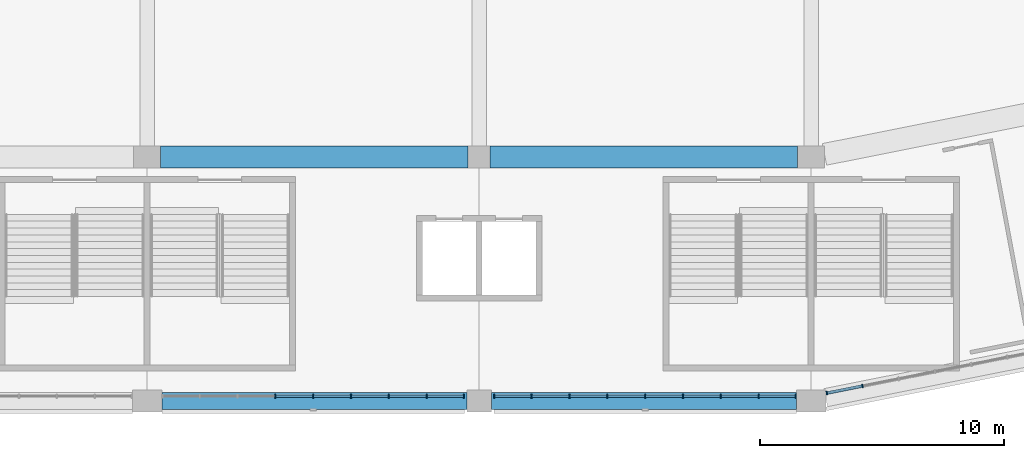
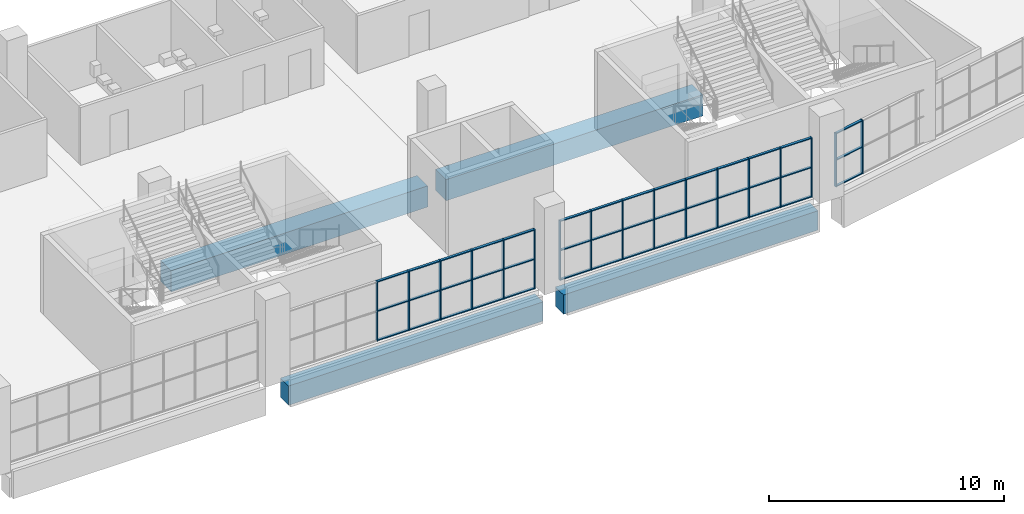
# One storey, part 14 of 199: 59 members, 4 beams, 3 elements without a shape of their own.
"""IFC4 building model written with IfcOpenShell, lengths in metres."""

from ifc_helpers import new_model, si_unit, direction, frame, origin, origin_2d, place, context, subcontext, project, spatial, rectangle, extrude, material, material_profile, profile_set, type_object, element, aggregate, save


model = new_model("IFC4")

# Units and contexts
model_context = context("Model", 3, precision=1e-05, world=origin(), true_north=direction((0.0, 1.0)))
body_context = subcontext(model_context, "Body", "Model", "MODEL_VIEW")
ifc_project = project(units=[si_unit("LENGTHUNIT", "METRE"), si_unit("AREAUNIT", "SQUARE_METRE"), si_unit("VOLUMEUNIT", "CUBIC_METRE"), si_unit("PLANEANGLEUNIT", "RADIAN"), si_unit("MASSUNIT", "GRAM", prefix="KILO")], contexts=[model_context])

# Site, building, storey
site_placement = place(None, origin())
site = spatial("IfcSite", under=ifc_project, at=site_placement, CompositionType="ELEMENT")
building_placement = place(site_placement, origin())
building = spatial("IfcBuilding", under=site, at=building_placement, Name="Ogive Plaza Stadium", CompositionType="ELEMENT")
storey_placement = place(building_placement, frame((0.0, 0.0, 4.5)))
storey = spatial("IfcBuildingStorey", under=building, at=storey_placement, Name="L01", CompositionType="ELEMENT", Elevation=4.5)

# Curtain wall, members
ifc_material_1 = material(Name="Bronze-anodised aluminium with laminated glass", Category="aluminium")
curtain_wall_type = type_object("IfcCurtainWallType", Name="Lancet curtain wall", PredefinedType="NOTDEFINED", material=ifc_material_1)
curtain_wall_1_placement = place(storey_placement, origin())
curtain_wall_1 = element("IfcCurtainWall", 1, at=curtain_wall_1_placement, inside=storey, type_object=curtain_wall_type, Name="CURTAIN WALL B11 L01", PredefinedType="NOTDEFINED")
ifc_material_2 = material(Name="Bronze-anodised aluminium", Category="aluminium")
ifc_material_profile_1 = material_profile(ifc_material_2, rectangle(XDim=0.14990234375, YDim=0.050048828125, at=origin_2d()), Name="AL 150x50")
ifc_profile_set_1 = profile_set([ifc_material_profile_1], Name="Bronze-anodised aluminium")
member_type_1 = type_object("IfcMemberType", Name="Curtain wall mullion 50x150", PredefinedType="MULLION", material=ifc_profile_set_1)
member_1_placement = place(storey_placement, frame((36.104248046875, -101.87744140625, 0.0), z_axis=(0.0, 0.0, 1.0), x_axis=(0.195090322016, -0.980785280403, 0.0)))
member_1 = element("IfcMember", 2, at=member_1_placement, type_object=member_type_1, Name="CW-B11-L01 mullion 12", PredefinedType="MULLION", context=body_context, shape_type="SweptSolid", body=[
    extrude(rectangle(XDim=0.14990234375, YDim=0.050048828125, at=origin_2d()), origin(), (0.0, 0.0, 1.0), 2.7900390625),
])
member_2_placement = place(storey_placement, frame((34.64404296875, -102.16796875, 0.0), z_axis=(0.0, 0.0, 1.0), x_axis=(0.195090322016, -0.980785280403, 0.0)))
member_2 = element("IfcMember", 3, at=member_2_placement, type_object=member_type_1, Name="CW-B11-L01 mullion 13", PredefinedType="MULLION", context=body_context, shape_type="SweptSolid", body=[
    extrude(rectangle(XDim=0.14990234375, YDim=0.050048828125, at=origin_2d()), origin(), (0.0, 0.0, 1.0), 2.7900390625),
])

curtain_wall_2_placement = place(storey_placement, origin())
curtain_wall_2 = element("IfcCurtainWall", 4, at=curtain_wall_2_placement, inside=storey, type_object=curtain_wall_type, Name="CURTAIN WALL B12 L01", PredefinedType="NOTDEFINED")
member_3_placement = place(storey_placement, frame((33.375, -102.300048828125, 0.0), z_axis=(0.0, 0.0, 1.0), x_axis=(0.0, -1.0, 0.0)))
member_3 = element("IfcMember", 5, at=member_3_placement, type_object=member_type_1, Name="CW-B12-L01 mullion 1", PredefinedType="MULLION", context=body_context, shape_type="SweptSolid", body=[
    extrude(rectangle(XDim=0.14990234375, YDim=0.050048828125, at=origin_2d()), origin(), (0.0, 0.0, 1.0), 3.090087890625),
])
member_4_placement = place(storey_placement, frame((31.85009765625, -102.300048828125, 0.0), z_axis=(0.0, 0.0, 1.0), x_axis=(0.0, -1.0, 0.0)))
member_4 = element("IfcMember", 6, at=member_4_placement, type_object=member_type_1, Name="CW-B12-L01 mullion 2", PredefinedType="MULLION", context=body_context, shape_type="SweptSolid", body=[
    extrude(rectangle(XDim=0.14990234375, YDim=0.050048828125, at=origin_2d()), origin(), (0.0, 0.0, 1.0), 3.090087890625),
])
member_5_placement = place(storey_placement, frame((30.300048828125, -102.300048828125, 0.0), z_axis=(0.0, 0.0, 1.0), x_axis=(0.0, -1.0, 0.0)))
member_5 = element("IfcMember", 7, at=member_5_placement, type_object=member_type_1, Name="CW-B12-L01 mullion 3", PredefinedType="MULLION", context=body_context, shape_type="SweptSolid", body=[
    extrude(rectangle(XDim=0.14990234375, YDim=0.050048828125, at=origin_2d()), origin(), (0.0, 0.0, 1.0), 3.090087890625),
])
member_6_placement = place(storey_placement, frame((28.75, -102.300048828125, 0.0), z_axis=(0.0, 0.0, 1.0), x_axis=(0.0, -1.0, 0.0)))
member_6 = element("IfcMember", 8, at=member_6_placement, type_object=member_type_1, Name="CW-B12-L01 mullion 4", PredefinedType="MULLION", context=body_context, shape_type="SweptSolid", body=[
    extrude(rectangle(XDim=0.14990234375, YDim=0.050048828125, at=origin_2d()), origin(), (0.0, 0.0, 1.0), 3.090087890625),
])
member_7_placement = place(storey_placement, frame((27.199951171875, -102.300048828125, 0.0), z_axis=(0.0, 0.0, 1.0), x_axis=(0.0, -1.0, 0.0)))
member_7 = element("IfcMember", 9, at=member_7_placement, type_object=member_type_1, Name="CW-B12-L01 mullion 5", PredefinedType="MULLION", context=body_context, shape_type="SweptSolid", body=[
    extrude(rectangle(XDim=0.14990234375, YDim=0.050048828125, at=origin_2d()), origin(), (0.0, 0.0, 1.0), 3.090087890625),
])
member_8_placement = place(storey_placement, frame((25.64990234375, -102.300048828125, 0.0), z_axis=(0.0, 0.0, 1.0), x_axis=(0.0, -1.0, 0.0)))
member_8 = element("IfcMember", 10, at=member_8_placement, type_object=member_type_1, Name="CW-B12-L01 mullion 6", PredefinedType="MULLION", context=body_context, shape_type="SweptSolid", body=[
    extrude(rectangle(XDim=0.14990234375, YDim=0.050048828125, at=origin_2d()), origin(), (0.0, 0.0, 1.0), 3.090087890625),
])
member_9_placement = place(storey_placement, frame((24.10009765625, -102.300048828125, 0.0), z_axis=(0.0, 0.0, 1.0), x_axis=(0.0, -1.0, 0.0)))
member_9 = element("IfcMember", 11, at=member_9_placement, type_object=member_type_1, Name="CW-B12-L01 mullion 7", PredefinedType="MULLION", context=body_context, shape_type="SweptSolid", body=[
    extrude(rectangle(XDim=0.14990234375, YDim=0.050048828125, at=origin_2d()), origin(), (0.0, 0.0, 1.0), 3.090087890625),
])
member_10_placement = place(storey_placement, frame((22.550048828125, -102.300048828125, 0.0), z_axis=(0.0, 0.0, 1.0), x_axis=(0.0, -1.0, 0.0)))
member_10 = element("IfcMember", 12, at=member_10_placement, type_object=member_type_1, Name="CW-B12-L01 mullion 8", PredefinedType="MULLION", context=body_context, shape_type="SweptSolid", body=[
    extrude(rectangle(XDim=0.14990234375, YDim=0.050048828125, at=origin_2d()), origin(), (0.0, 0.0, 1.0), 3.090087890625),
])
member_11_placement = place(storey_placement, frame((21.02490234375, -102.300048828125, 0.0), z_axis=(0.0, 0.0, 1.0), x_axis=(0.0, -1.0, 0.0)))
member_11 = element("IfcMember", 13, at=member_11_placement, type_object=member_type_1, Name="CW-B12-L01 mullion 9", PredefinedType="MULLION", context=body_context, shape_type="SweptSolid", body=[
    extrude(rectangle(XDim=0.14990234375, YDim=0.050048828125, at=origin_2d()), origin(), (0.0, 0.0, 1.0), 3.090087890625),
])

curtain_wall_3_placement = place(storey_placement, origin())
curtain_wall_3 = element("IfcCurtainWall", 14, at=curtain_wall_3_placement, inside=storey, type_object=curtain_wall_type, Name="CURTAIN WALL B13 L01", PredefinedType="NOTDEFINED")
member_12_placement = place(storey_placement, frame((19.77490234375, -102.300048828125, 0.0), z_axis=(0.0, 0.0, 1.0), x_axis=(0.0, -1.0, 0.0)))
member_12 = element("IfcMember", 15, at=member_12_placement, type_object=member_type_1, Name="CW-B13-L01 mullion 1", PredefinedType="MULLION", context=body_context, shape_type="SweptSolid", body=[
    extrude(rectangle(XDim=0.14990234375, YDim=0.050048828125, at=origin_2d()), origin(), (0.0, 0.0, 1.0), 3.090087890625),
])
member_13_placement = place(storey_placement, frame((18.25, -102.300048828125, 0.0), z_axis=(0.0, 0.0, 1.0), x_axis=(0.0, -1.0, 0.0)))
member_13 = element("IfcMember", 16, at=member_13_placement, type_object=member_type_1, Name="CW-B13-L01 mullion 2", PredefinedType="MULLION", context=body_context, shape_type="SweptSolid", body=[
    extrude(rectangle(XDim=0.14990234375, YDim=0.050048828125, at=origin_2d()), origin(), (0.0, 0.0, 1.0), 3.090087890625),
])
member_14_placement = place(storey_placement, frame((16.699951171875, -102.300048828125, 0.0), z_axis=(0.0, 0.0, 1.0), x_axis=(0.0, -1.0, 0.0)))
member_14 = element("IfcMember", 17, at=member_14_placement, type_object=member_type_1, Name="CW-B13-L01 mullion 3", PredefinedType="MULLION", context=body_context, shape_type="SweptSolid", body=[
    extrude(rectangle(XDim=0.14990234375, YDim=0.050048828125, at=origin_2d()), origin(), (0.0, 0.0, 1.0), 3.090087890625),
])
member_15_placement = place(storey_placement, frame((15.14990234375, -102.300048828125, 0.0), z_axis=(0.0, 0.0, 1.0), x_axis=(0.0, -1.0, 0.0)))
member_15 = element("IfcMember", 18, at=member_15_placement, type_object=member_type_1, Name="CW-B13-L01 mullion 4", PredefinedType="MULLION", context=body_context, shape_type="SweptSolid", body=[
    extrude(rectangle(XDim=0.14990234375, YDim=0.050048828125, at=origin_2d()), origin(), (0.0, 0.0, 1.0), 3.090087890625),
])
member_16_placement = place(storey_placement, frame((13.60009765625, -102.300048828125, 0.0), z_axis=(0.0, 0.0, 1.0), x_axis=(0.0, -1.0, 0.0)))
member_16 = element("IfcMember", 19, at=member_16_placement, type_object=member_type_1, Name="CW-B13-L01 mullion 5", PredefinedType="MULLION", context=body_context, shape_type="SweptSolid", body=[
    extrude(rectangle(XDim=0.14990234375, YDim=0.050048828125, at=origin_2d()), origin(), (0.0, 0.0, 1.0), 3.090087890625),
])
member_17_placement = place(storey_placement, frame((12.050048828125, -102.300048828125, 0.0), z_axis=(0.0, 0.0, 1.0), x_axis=(0.0, -1.0, 0.0)))
member_17 = element("IfcMember", 20, at=member_17_placement, type_object=member_type_1, Name="CW-B13-L01 mullion 6", PredefinedType="MULLION", context=body_context, shape_type="SweptSolid", body=[
    extrude(rectangle(XDim=0.14990234375, YDim=0.050048828125, at=origin_2d()), origin(), (0.0, 0.0, 1.0), 3.090087890625),
])

# Member
ifc_material_3 = material(Name="Bronze-anodised aluminium", Category="aluminium")
ifc_material_profile_2 = material_profile(ifc_material_3, rectangle(XDim=0.1201171875, YDim=0.050048828125, at=origin_2d()), Name="AL 120x50")
ifc_profile_set_2 = profile_set([ifc_material_profile_2], Name="Bronze-anodised aluminium")
member_type_2 = type_object("IfcMemberType", Name="Curtain wall transom 50x120", PredefinedType="USERDEFINED", material=ifc_profile_set_2)
member_18_placement = place(storey_placement, frame((36.079833984375, -101.88232421875, 0.02490234375), z_axis=(-0.980782436465, -0.195104618913, 0.0), x_axis=(0.195104618913, -0.980782436465, 0.0)))
member_18 = element("IfcMember", 21, at=member_18_placement, type_object=member_type_2, Name="CW-B11-L01 transom 12.1", ObjectType="TRANSOM", PredefinedType="USERDEFINED", context=body_context, shape_type="SweptSolid", body=[
    extrude(rectangle(XDim=0.1201171875, YDim=0.050048828125, at=origin_2d()), origin(), (0.0, 0.0, 1.0), 1.43896484375),
])

member_19_placement = place(storey_placement, frame((36.079833984375, -101.88232421875, 1.39501953125), z_axis=(-0.980782436465, -0.195104618913, 0.0), x_axis=(0.195104618913, -0.980782436465, 0.0)))
member_19 = element("IfcMember", 22, at=member_19_placement, type_object=member_type_2, Name="CW-B11-L01 transom 12.2", ObjectType="TRANSOM", PredefinedType="USERDEFINED", context=body_context, shape_type="SweptSolid", body=[
    extrude(rectangle(XDim=0.1201171875, YDim=0.050048828125, at=origin_2d()), origin(), (0.0, 0.0, 1.0), 1.43896484375),
])

member_20_placement = place(storey_placement, frame((36.079833984375, -101.88232421875, 2.764892578125), z_axis=(-0.980782436465, -0.195104618913, 0.0), x_axis=(0.195104618913, -0.980782436465, 0.0)))
member_20 = element("IfcMember", 23, at=member_20_placement, type_object=member_type_2, Name="CW-B11-L01 transom 12.3", ObjectType="TRANSOM", PredefinedType="USERDEFINED", context=body_context, shape_type="SweptSolid", body=[
    extrude(rectangle(XDim=0.1201171875, YDim=0.050048828125, at=origin_2d()), origin(), (0.0, 0.0, 1.0), 1.43896484375),
])

aggregate(curtain_wall_1, [member_1, member_2, member_18, member_19, member_20])

member_21_placement = place(storey_placement, frame((33.35009765625, -102.300048828125, 0.02490234375), z_axis=(-1.0, 0.0, 0.0), x_axis=(0.0, -1.0, 0.0)))
member_21 = element("IfcMember", 24, at=member_21_placement, type_object=member_type_2, Name="CW-B12-L01 transom 1.1", ObjectType="TRANSOM", PredefinedType="USERDEFINED", context=body_context, shape_type="SweptSolid", body=[
    extrude(rectangle(XDim=0.1201171875, YDim=0.050048828125, at=origin_2d()), origin(), (0.0, 0.0, 1.0), 1.47509765625),
])

member_22_placement = place(storey_placement, frame((33.35009765625, -102.300048828125, 1.544921875), z_axis=(-1.0, 0.0, 0.0), x_axis=(0.0, -1.0, 0.0)))
member_22 = element("IfcMember", 25, at=member_22_placement, type_object=member_type_2, Name="CW-B12-L01 transom 1.2", ObjectType="TRANSOM", PredefinedType="USERDEFINED", context=body_context, shape_type="SweptSolid", body=[
    extrude(rectangle(XDim=0.1201171875, YDim=0.050048828125, at=origin_2d()), origin(), (0.0, 0.0, 1.0), 1.47509765625),
])

member_23_placement = place(storey_placement, frame((33.35009765625, -102.300048828125, 3.06494140625), z_axis=(-1.0, 0.0, 0.0), x_axis=(0.0, -1.0, 0.0)))
member_23 = element("IfcMember", 26, at=member_23_placement, type_object=member_type_2, Name="CW-B12-L01 transom 1.3", ObjectType="TRANSOM", PredefinedType="USERDEFINED", context=body_context, shape_type="SweptSolid", body=[
    extrude(rectangle(XDim=0.1201171875, YDim=0.050048828125, at=origin_2d()), origin(), (0.0, 0.0, 1.0), 1.47509765625),
])

member_24_placement = place(storey_placement, frame((31.824951171875, -102.300048828125, 0.02490234375), z_axis=(-1.0, 0.0, 0.0), x_axis=(0.0, -1.0, 0.0)))
member_24 = element("IfcMember", 27, at=member_24_placement, type_object=member_type_2, Name="CW-B12-L01 transom 2.1", ObjectType="TRANSOM", PredefinedType="USERDEFINED", context=body_context, shape_type="SweptSolid", body=[
    extrude(rectangle(XDim=0.1201171875, YDim=0.050048828125, at=origin_2d()), origin(), (0.0, 0.0, 1.0), 1.5),
])

member_25_placement = place(storey_placement, frame((31.824951171875, -102.300048828125, 1.544921875), z_axis=(-1.0, 0.0, 0.0), x_axis=(0.0, -1.0, 0.0)))
member_25 = element("IfcMember", 28, at=member_25_placement, type_object=member_type_2, Name="CW-B12-L01 transom 2.2", ObjectType="TRANSOM", PredefinedType="USERDEFINED", context=body_context, shape_type="SweptSolid", body=[
    extrude(rectangle(XDim=0.1201171875, YDim=0.050048828125, at=origin_2d()), origin(), (0.0, 0.0, 1.0), 1.5),
])

member_26_placement = place(storey_placement, frame((31.824951171875, -102.300048828125, 3.06494140625), z_axis=(-1.0, 0.0, 0.0), x_axis=(0.0, -1.0, 0.0)))
member_26 = element("IfcMember", 29, at=member_26_placement, type_object=member_type_2, Name="CW-B12-L01 transom 2.3", ObjectType="TRANSOM", PredefinedType="USERDEFINED", context=body_context, shape_type="SweptSolid", body=[
    extrude(rectangle(XDim=0.1201171875, YDim=0.050048828125, at=origin_2d()), origin(), (0.0, 0.0, 1.0), 1.5),
])

member_27_placement = place(storey_placement, frame((30.27490234375, -102.300048828125, 0.02490234375), z_axis=(-1.0, 0.0, 0.0), x_axis=(0.0, -1.0, 0.0)))
member_27 = element("IfcMember", 30, at=member_27_placement, type_object=member_type_2, Name="CW-B12-L01 transom 3.1", ObjectType="TRANSOM", PredefinedType="USERDEFINED", context=body_context, shape_type="SweptSolid", body=[
    extrude(rectangle(XDim=0.1201171875, YDim=0.050048828125, at=origin_2d()), origin(), (0.0, 0.0, 1.0), 1.5),
])

member_28_placement = place(storey_placement, frame((30.27490234375, -102.300048828125, 1.544921875), z_axis=(-1.0, 0.0, 0.0), x_axis=(0.0, -1.0, 0.0)))
member_28 = element("IfcMember", 31, at=member_28_placement, type_object=member_type_2, Name="CW-B12-L01 transom 3.2", ObjectType="TRANSOM", PredefinedType="USERDEFINED", context=body_context, shape_type="SweptSolid", body=[
    extrude(rectangle(XDim=0.1201171875, YDim=0.050048828125, at=origin_2d()), origin(), (0.0, 0.0, 1.0), 1.5),
])

member_29_placement = place(storey_placement, frame((30.27490234375, -102.300048828125, 3.06494140625), z_axis=(-1.0, 0.0, 0.0), x_axis=(0.0, -1.0, 0.0)))
member_29 = element("IfcMember", 32, at=member_29_placement, type_object=member_type_2, Name="CW-B12-L01 transom 3.3", ObjectType="TRANSOM", PredefinedType="USERDEFINED", context=body_context, shape_type="SweptSolid", body=[
    extrude(rectangle(XDim=0.1201171875, YDim=0.050048828125, at=origin_2d()), origin(), (0.0, 0.0, 1.0), 1.5),
])

member_30_placement = place(storey_placement, frame((28.72509765625, -102.300048828125, 0.02490234375), z_axis=(-1.0, 0.0, 0.0), x_axis=(0.0, -1.0, 0.0)))
member_30 = element("IfcMember", 33, at=member_30_placement, type_object=member_type_2, Name="CW-B12-L01 transom 4.1", ObjectType="TRANSOM", PredefinedType="USERDEFINED", context=body_context, shape_type="SweptSolid", body=[
    extrude(rectangle(XDim=0.1201171875, YDim=0.050048828125, at=origin_2d()), origin(), (0.0, 0.0, 1.0), 1.5),
])

member_31_placement = place(storey_placement, frame((28.72509765625, -102.300048828125, 1.544921875), z_axis=(-1.0, 0.0, 0.0), x_axis=(0.0, -1.0, 0.0)))
member_31 = element("IfcMember", 34, at=member_31_placement, type_object=member_type_2, Name="CW-B12-L01 transom 4.2", ObjectType="TRANSOM", PredefinedType="USERDEFINED", context=body_context, shape_type="SweptSolid", body=[
    extrude(rectangle(XDim=0.1201171875, YDim=0.050048828125, at=origin_2d()), origin(), (0.0, 0.0, 1.0), 1.5),
])

member_32_placement = place(storey_placement, frame((28.72509765625, -102.300048828125, 3.06494140625), z_axis=(-1.0, 0.0, 0.0), x_axis=(0.0, -1.0, 0.0)))
member_32 = element("IfcMember", 35, at=member_32_placement, type_object=member_type_2, Name="CW-B12-L01 transom 4.3", ObjectType="TRANSOM", PredefinedType="USERDEFINED", context=body_context, shape_type="SweptSolid", body=[
    extrude(rectangle(XDim=0.1201171875, YDim=0.050048828125, at=origin_2d()), origin(), (0.0, 0.0, 1.0), 1.5),
])

member_33_placement = place(storey_placement, frame((27.175048828125, -102.300048828125, 0.02490234375), z_axis=(-1.0, 0.0, 0.0), x_axis=(0.0, -1.0, 0.0)))
member_33 = element("IfcMember", 36, at=member_33_placement, type_object=member_type_2, Name="CW-B12-L01 transom 5.1", ObjectType="TRANSOM", PredefinedType="USERDEFINED", context=body_context, shape_type="SweptSolid", body=[
    extrude(rectangle(XDim=0.1201171875, YDim=0.050048828125, at=origin_2d()), origin(), (0.0, 0.0, 1.0), 1.5),
])

member_34_placement = place(storey_placement, frame((27.175048828125, -102.300048828125, 1.544921875), z_axis=(-1.0, 0.0, 0.0), x_axis=(0.0, -1.0, 0.0)))
member_34 = element("IfcMember", 37, at=member_34_placement, type_object=member_type_2, Name="CW-B12-L01 transom 5.2", ObjectType="TRANSOM", PredefinedType="USERDEFINED", context=body_context, shape_type="SweptSolid", body=[
    extrude(rectangle(XDim=0.1201171875, YDim=0.050048828125, at=origin_2d()), origin(), (0.0, 0.0, 1.0), 1.5),
])

member_35_placement = place(storey_placement, frame((27.175048828125, -102.300048828125, 3.06494140625), z_axis=(-1.0, 0.0, 0.0), x_axis=(0.0, -1.0, 0.0)))
member_35 = element("IfcMember", 38, at=member_35_placement, type_object=member_type_2, Name="CW-B12-L01 transom 5.3", ObjectType="TRANSOM", PredefinedType="USERDEFINED", context=body_context, shape_type="SweptSolid", body=[
    extrude(rectangle(XDim=0.1201171875, YDim=0.050048828125, at=origin_2d()), origin(), (0.0, 0.0, 1.0), 1.5),
])

member_36_placement = place(storey_placement, frame((25.625, -102.300048828125, 0.02490234375), z_axis=(-1.0, 0.0, 0.0), x_axis=(0.0, -1.0, 0.0)))
member_36 = element("IfcMember", 39, at=member_36_placement, type_object=member_type_2, Name="CW-B12-L01 transom 6.1", ObjectType="TRANSOM", PredefinedType="USERDEFINED", context=body_context, shape_type="SweptSolid", body=[
    extrude(rectangle(XDim=0.1201171875, YDim=0.050048828125, at=origin_2d()), origin(), (0.0, 0.0, 1.0), 1.5),
])

member_37_placement = place(storey_placement, frame((25.625, -102.300048828125, 1.544921875), z_axis=(-1.0, 0.0, 0.0), x_axis=(0.0, -1.0, 0.0)))
member_37 = element("IfcMember", 40, at=member_37_placement, type_object=member_type_2, Name="CW-B12-L01 transom 6.2", ObjectType="TRANSOM", PredefinedType="USERDEFINED", context=body_context, shape_type="SweptSolid", body=[
    extrude(rectangle(XDim=0.1201171875, YDim=0.050048828125, at=origin_2d()), origin(), (0.0, 0.0, 1.0), 1.5),
])

member_38_placement = place(storey_placement, frame((25.625, -102.300048828125, 3.06494140625), z_axis=(-1.0, 0.0, 0.0), x_axis=(0.0, -1.0, 0.0)))
member_38 = element("IfcMember", 41, at=member_38_placement, type_object=member_type_2, Name="CW-B12-L01 transom 6.3", ObjectType="TRANSOM", PredefinedType="USERDEFINED", context=body_context, shape_type="SweptSolid", body=[
    extrude(rectangle(XDim=0.1201171875, YDim=0.050048828125, at=origin_2d()), origin(), (0.0, 0.0, 1.0), 1.5),
])

member_39_placement = place(storey_placement, frame((24.074951171875, -102.300048828125, 0.02490234375), z_axis=(-1.0, 0.0, 0.0), x_axis=(0.0, -1.0, 0.0)))
member_39 = element("IfcMember", 42, at=member_39_placement, type_object=member_type_2, Name="CW-B12-L01 transom 7.1", ObjectType="TRANSOM", PredefinedType="USERDEFINED", context=body_context, shape_type="SweptSolid", body=[
    extrude(rectangle(XDim=0.1201171875, YDim=0.050048828125, at=origin_2d()), origin(), (0.0, 0.0, 1.0), 1.5),
])

member_40_placement = place(storey_placement, frame((24.074951171875, -102.300048828125, 1.544921875), z_axis=(-1.0, 0.0, 0.0), x_axis=(0.0, -1.0, 0.0)))
member_40 = element("IfcMember", 43, at=member_40_placement, type_object=member_type_2, Name="CW-B12-L01 transom 7.2", ObjectType="TRANSOM", PredefinedType="USERDEFINED", context=body_context, shape_type="SweptSolid", body=[
    extrude(rectangle(XDim=0.1201171875, YDim=0.050048828125, at=origin_2d()), origin(), (0.0, 0.0, 1.0), 1.5),
])

member_41_placement = place(storey_placement, frame((24.074951171875, -102.300048828125, 3.06494140625), z_axis=(-1.0, 0.0, 0.0), x_axis=(0.0, -1.0, 0.0)))
member_41 = element("IfcMember", 44, at=member_41_placement, type_object=member_type_2, Name="CW-B12-L01 transom 7.3", ObjectType="TRANSOM", PredefinedType="USERDEFINED", context=body_context, shape_type="SweptSolid", body=[
    extrude(rectangle(XDim=0.1201171875, YDim=0.050048828125, at=origin_2d()), origin(), (0.0, 0.0, 1.0), 1.5),
])

member_42_placement = place(storey_placement, frame((22.52490234375, -102.300048828125, 0.02490234375), z_axis=(-1.0, 0.0, 0.0), x_axis=(0.0, -1.0, 0.0)))
member_42 = element("IfcMember", 45, at=member_42_placement, type_object=member_type_2, Name="CW-B12-L01 transom 8.1", ObjectType="TRANSOM", PredefinedType="USERDEFINED", context=body_context, shape_type="SweptSolid", body=[
    extrude(rectangle(XDim=0.1201171875, YDim=0.050048828125, at=origin_2d()), origin(), (0.0, 0.0, 1.0), 1.474853515625),
])

member_43_placement = place(storey_placement, frame((22.52490234375, -102.300048828125, 1.544921875), z_axis=(-1.0, 0.0, 0.0), x_axis=(0.0, -1.0, 0.0)))
member_43 = element("IfcMember", 46, at=member_43_placement, type_object=member_type_2, Name="CW-B12-L01 transom 8.2", ObjectType="TRANSOM", PredefinedType="USERDEFINED", context=body_context, shape_type="SweptSolid", body=[
    extrude(rectangle(XDim=0.1201171875, YDim=0.050048828125, at=origin_2d()), origin(), (0.0, 0.0, 1.0), 1.474853515625),
])

member_44_placement = place(storey_placement, frame((22.52490234375, -102.300048828125, 3.06494140625), z_axis=(-1.0, 0.0, 0.0), x_axis=(0.0, -1.0, 0.0)))
member_44 = element("IfcMember", 47, at=member_44_placement, type_object=member_type_2, Name="CW-B12-L01 transom 8.3", ObjectType="TRANSOM", PredefinedType="USERDEFINED", context=body_context, shape_type="SweptSolid", body=[
    extrude(rectangle(XDim=0.1201171875, YDim=0.050048828125, at=origin_2d()), origin(), (0.0, 0.0, 1.0), 1.474853515625),
])

aggregate(curtain_wall_2, [member_3, member_4, member_5, member_6, member_7, member_8, member_9, member_10, member_11, member_21, member_22, member_23, member_24, member_25, member_26, member_27, member_28, member_29, member_30, member_31, member_32, member_33, member_34, member_35, member_36, member_37, member_38, member_39, member_40, member_41, member_42, member_43, member_44])

member_45_placement = place(storey_placement, frame((19.75, -102.300048828125, 0.02490234375), z_axis=(-1.0, 0.0, 0.0), x_axis=(0.0, -1.0, 0.0)))
member_45 = element("IfcMember", 48, at=member_45_placement, type_object=member_type_2, Name="CW-B13-L01 transom 1.1", ObjectType="TRANSOM", PredefinedType="USERDEFINED", context=body_context, shape_type="SweptSolid", body=[
    extrude(rectangle(XDim=0.1201171875, YDim=0.050048828125, at=origin_2d()), origin(), (0.0, 0.0, 1.0), 1.47509765625),
])

member_46_placement = place(storey_placement, frame((19.75, -102.300048828125, 1.544921875), z_axis=(-1.0, 0.0, 0.0), x_axis=(0.0, -1.0, 0.0)))
member_46 = element("IfcMember", 49, at=member_46_placement, type_object=member_type_2, Name="CW-B13-L01 transom 1.2", ObjectType="TRANSOM", PredefinedType="USERDEFINED", context=body_context, shape_type="SweptSolid", body=[
    extrude(rectangle(XDim=0.1201171875, YDim=0.050048828125, at=origin_2d()), origin(), (0.0, 0.0, 1.0), 1.47509765625),
])

member_47_placement = place(storey_placement, frame((19.75, -102.300048828125, 3.06494140625), z_axis=(-1.0, 0.0, 0.0), x_axis=(0.0, -1.0, 0.0)))
member_47 = element("IfcMember", 50, at=member_47_placement, type_object=member_type_2, Name="CW-B13-L01 transom 1.3", ObjectType="TRANSOM", PredefinedType="USERDEFINED", context=body_context, shape_type="SweptSolid", body=[
    extrude(rectangle(XDim=0.1201171875, YDim=0.050048828125, at=origin_2d()), origin(), (0.0, 0.0, 1.0), 1.47509765625),
])

member_48_placement = place(storey_placement, frame((18.22509765625, -102.300048828125, 0.02490234375), z_axis=(-1.0, 0.0, 0.0), x_axis=(0.0, -1.0, 0.0)))
member_48 = element("IfcMember", 51, at=member_48_placement, type_object=member_type_2, Name="CW-B13-L01 transom 2.1", ObjectType="TRANSOM", PredefinedType="USERDEFINED", context=body_context, shape_type="SweptSolid", body=[
    extrude(rectangle(XDim=0.1201171875, YDim=0.050048828125, at=origin_2d()), origin(), (0.0, 0.0, 1.0), 1.5),
])

member_49_placement = place(storey_placement, frame((18.22509765625, -102.300048828125, 1.544921875), z_axis=(-1.0, 0.0, 0.0), x_axis=(0.0, -1.0, 0.0)))
member_49 = element("IfcMember", 52, at=member_49_placement, type_object=member_type_2, Name="CW-B13-L01 transom 2.2", ObjectType="TRANSOM", PredefinedType="USERDEFINED", context=body_context, shape_type="SweptSolid", body=[
    extrude(rectangle(XDim=0.1201171875, YDim=0.050048828125, at=origin_2d()), origin(), (0.0, 0.0, 1.0), 1.5),
])

member_50_placement = place(storey_placement, frame((18.22509765625, -102.300048828125, 3.06494140625), z_axis=(-1.0, 0.0, 0.0), x_axis=(0.0, -1.0, 0.0)))
member_50 = element("IfcMember", 53, at=member_50_placement, type_object=member_type_2, Name="CW-B13-L01 transom 2.3", ObjectType="TRANSOM", PredefinedType="USERDEFINED", context=body_context, shape_type="SweptSolid", body=[
    extrude(rectangle(XDim=0.1201171875, YDim=0.050048828125, at=origin_2d()), origin(), (0.0, 0.0, 1.0), 1.5),
])

member_51_placement = place(storey_placement, frame((16.675048828125, -102.300048828125, 0.02490234375), z_axis=(-1.0, 0.0, 0.0), x_axis=(0.0, -1.0, 0.0)))
member_51 = element("IfcMember", 54, at=member_51_placement, type_object=member_type_2, Name="CW-B13-L01 transom 3.1", ObjectType="TRANSOM", PredefinedType="USERDEFINED", context=body_context, shape_type="SweptSolid", body=[
    extrude(rectangle(XDim=0.1201171875, YDim=0.050048828125, at=origin_2d()), origin(), (0.0, 0.0, 1.0), 1.5),
])

member_52_placement = place(storey_placement, frame((16.675048828125, -102.300048828125, 1.544921875), z_axis=(-1.0, 0.0, 0.0), x_axis=(0.0, -1.0, 0.0)))
member_52 = element("IfcMember", 55, at=member_52_placement, type_object=member_type_2, Name="CW-B13-L01 transom 3.2", ObjectType="TRANSOM", PredefinedType="USERDEFINED", context=body_context, shape_type="SweptSolid", body=[
    extrude(rectangle(XDim=0.1201171875, YDim=0.050048828125, at=origin_2d()), origin(), (0.0, 0.0, 1.0), 1.5),
])

member_53_placement = place(storey_placement, frame((16.675048828125, -102.300048828125, 3.06494140625), z_axis=(-1.0, 0.0, 0.0), x_axis=(0.0, -1.0, 0.0)))
member_53 = element("IfcMember", 56, at=member_53_placement, type_object=member_type_2, Name="CW-B13-L01 transom 3.3", ObjectType="TRANSOM", PredefinedType="USERDEFINED", context=body_context, shape_type="SweptSolid", body=[
    extrude(rectangle(XDim=0.1201171875, YDim=0.050048828125, at=origin_2d()), origin(), (0.0, 0.0, 1.0), 1.5),
])

member_54_placement = place(storey_placement, frame((15.125, -102.300048828125, 0.02490234375), z_axis=(-1.0, 0.0, 0.0), x_axis=(0.0, -1.0, 0.0)))
member_54 = element("IfcMember", 57, at=member_54_placement, type_object=member_type_2, Name="CW-B13-L01 transom 4.1", ObjectType="TRANSOM", PredefinedType="USERDEFINED", context=body_context, shape_type="SweptSolid", body=[
    extrude(rectangle(XDim=0.1201171875, YDim=0.050048828125, at=origin_2d()), origin(), (0.0, 0.0, 1.0), 1.5),
])

member_55_placement = place(storey_placement, frame((15.125, -102.300048828125, 1.544921875), z_axis=(-1.0, 0.0, 0.0), x_axis=(0.0, -1.0, 0.0)))
member_55 = element("IfcMember", 58, at=member_55_placement, type_object=member_type_2, Name="CW-B13-L01 transom 4.2", ObjectType="TRANSOM", PredefinedType="USERDEFINED", context=body_context, shape_type="SweptSolid", body=[
    extrude(rectangle(XDim=0.1201171875, YDim=0.050048828125, at=origin_2d()), origin(), (0.0, 0.0, 1.0), 1.5),
])

member_56_placement = place(storey_placement, frame((15.125, -102.300048828125, 3.06494140625), z_axis=(-1.0, 0.0, 0.0), x_axis=(0.0, -1.0, 0.0)))
member_56 = element("IfcMember", 59, at=member_56_placement, type_object=member_type_2, Name="CW-B13-L01 transom 4.3", ObjectType="TRANSOM", PredefinedType="USERDEFINED", context=body_context, shape_type="SweptSolid", body=[
    extrude(rectangle(XDim=0.1201171875, YDim=0.050048828125, at=origin_2d()), origin(), (0.0, 0.0, 1.0), 1.5),
])

member_57_placement = place(storey_placement, frame((13.574951171875, -102.300048828125, 0.02490234375), z_axis=(-1.0, 0.0, 0.0), x_axis=(0.0, -1.0, 0.0)))
member_57 = element("IfcMember", 60, at=member_57_placement, type_object=member_type_2, Name="CW-B13-L01 transom 5.1", ObjectType="TRANSOM", PredefinedType="USERDEFINED", context=body_context, shape_type="SweptSolid", body=[
    extrude(rectangle(XDim=0.1201171875, YDim=0.050048828125, at=origin_2d()), origin(), (0.0, 0.0, 1.0), 1.5),
])

member_58_placement = place(storey_placement, frame((13.574951171875, -102.300048828125, 1.544921875), z_axis=(-1.0, 0.0, 0.0), x_axis=(0.0, -1.0, 0.0)))
member_58 = element("IfcMember", 61, at=member_58_placement, type_object=member_type_2, Name="CW-B13-L01 transom 5.2", ObjectType="TRANSOM", PredefinedType="USERDEFINED", context=body_context, shape_type="SweptSolid", body=[
    extrude(rectangle(XDim=0.1201171875, YDim=0.050048828125, at=origin_2d()), origin(), (0.0, 0.0, 1.0), 1.5),
])

member_59_placement = place(storey_placement, frame((13.574951171875, -102.300048828125, 3.06494140625), z_axis=(-1.0, 0.0, 0.0), x_axis=(0.0, -1.0, 0.0)))
member_59 = element("IfcMember", 62, at=member_59_placement, type_object=member_type_2, Name="CW-B13-L01 transom 5.3", ObjectType="TRANSOM", PredefinedType="USERDEFINED", context=body_context, shape_type="SweptSolid", body=[
    extrude(rectangle(XDim=0.1201171875, YDim=0.050048828125, at=origin_2d()), origin(), (0.0, 0.0, 1.0), 1.5),
])

aggregate(curtain_wall_3, [member_12, member_13, member_14, member_15, member_16, member_17, member_45, member_46, member_47, member_48, member_49, member_50, member_51, member_52, member_53, member_54, member_55, member_56, member_57, member_58, member_59])

# Beams
ifc_material_4 = material(Name="Concrete C40/50", Category="concrete")
ifc_material_profile_3 = material_profile(ifc_material_4, rectangle(XDim=0.89990234375, YDim=1.10009765625, at=origin_2d()), Name="RC 900x1100")
ifc_profile_set_3 = profile_set([ifc_material_profile_3], Name="Concrete C40/50")
beam_type_1 = type_object("IfcBeamType", Name="RC ring beam 900x1100", PredefinedType="BEAM", material=ifc_profile_set_3)
for number, where, z_axis, x_axis, name in (
    (63, (33.449951171875, -92.5, -0.9599609375), (-1.0, 0.0, 0.0), (0.0, -1.0, 0.0), "Ring beam F4 L01 B12"),
    (64, (19.949951171875, -92.5, -0.9599609375), (-1.0, 0.0, 0.0), (0.0, -1.0, 0.0), "Ring beam F4 L01 B13"),
):
    element("IfcBeam", number, at=place(storey_placement, frame(where, z_axis=z_axis, x_axis=x_axis)), inside=storey, type_object=beam_type_1, Name=name, PredefinedType="BEAM", context=body_context, shape_type="SweptSolid", body=[
        extrude(rectangle(XDim=0.89990234375, YDim=1.10009765625, at=origin_2d()), origin(), (0.0, 0.0, 1.0), 12.599853515625),
    ])
ifc_material_5 = material(Name="Concrete C40/50", Category="concrete")
ifc_material_profile_4 = material_profile(ifc_material_5, rectangle(XDim=0.699951171875, YDim=1.0, at=origin_2d()), Name="RC 700x1000")
ifc_profile_set_4 = profile_set([ifc_material_profile_4], Name="Concrete C40/50")
beam_type_2 = type_object("IfcBeamType", Name="RC spandrel beam 700x1000", PredefinedType="SPANDREL", material=ifc_profile_set_4)
for number, where, z_axis, x_axis, name in (
    (65, (33.39990234375, -102.5, -0.909912109375), (-1.0, 0.0, 0.0), (0.0, -1.0, 0.0), "Ring beam F5 L01 B12"),
    (66, (19.89990234375, -102.5, -0.909912109375), (-1.0, 0.0, 0.0), (0.0, -1.0, 0.0), "Ring beam F5 L01 B13"),
):
    element("IfcBeam", number, at=place(storey_placement, frame(where, z_axis=z_axis, x_axis=x_axis)), inside=storey, type_object=beam_type_2, Name=name, PredefinedType="SPANDREL", context=body_context, shape_type="SweptSolid", body=[
        extrude(rectangle(XDim=0.699951171875, YDim=1.0, at=origin_2d()), origin(), (0.0, 0.0, 1.0), 12.5),
    ])

save(model, "model.ifc")
